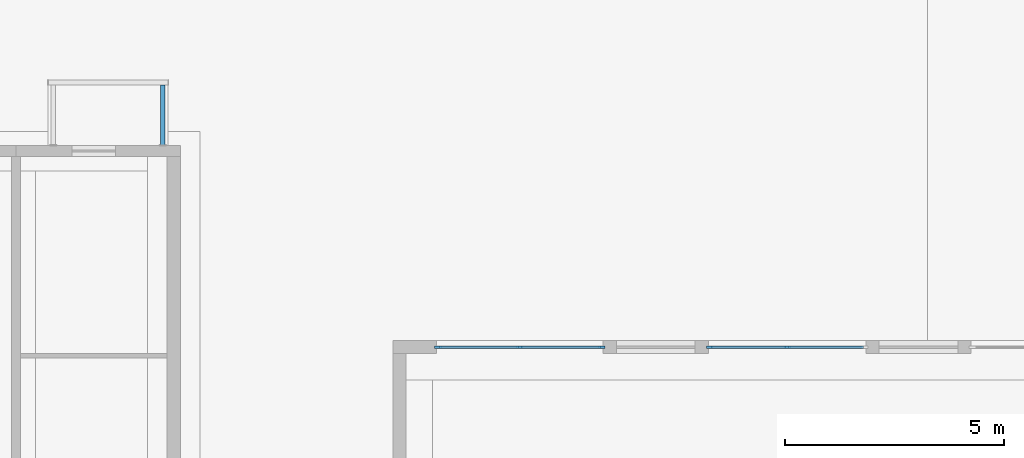
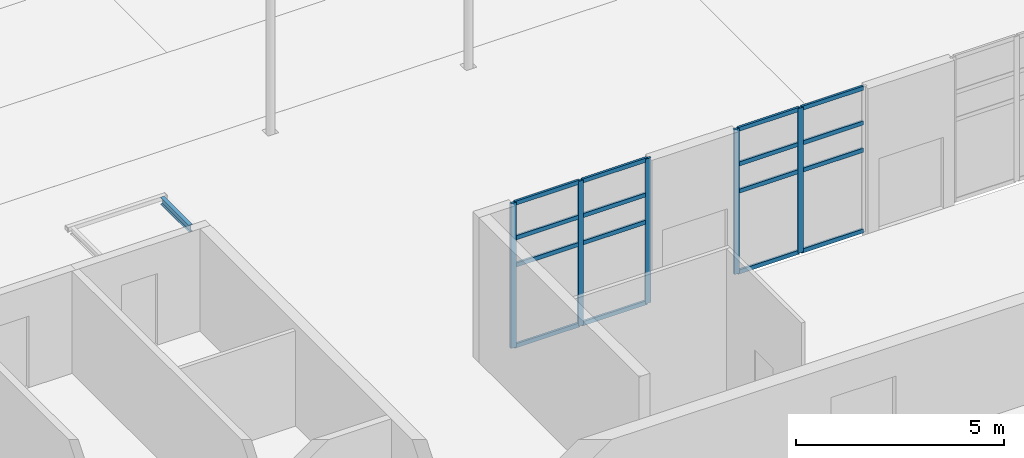
# One storey, part 21 of 112: 21 members, 1 beam, 2 elements without a shape of their own.
"""IFC4 building model written with IfcOpenShell, lengths in metres."""

from ifc_helpers import new_model, si_unit, direction, frame, origin, origin_2d, place, context, subcontext, project, spatial, rectangle, i_section, extrude, material, layer, layer_set, material_profile, profile_set, type_object, element, aggregate, save


model = new_model("IFC4")

# Units and contexts
model_context = context("Model", 3, precision=1e-05, world=origin(), true_north=direction((0.0, 1.0)))
body_context = subcontext(model_context, "Body", "Model", "MODEL_VIEW")
ifc_project = project(units=[si_unit("LENGTHUNIT", "METRE"), si_unit("AREAUNIT", "SQUARE_METRE"), si_unit("VOLUMEUNIT", "CUBIC_METRE"), si_unit("PLANEANGLEUNIT", "RADIAN"), si_unit("MASSUNIT", "GRAM", prefix="KILO")], contexts=[model_context])

# Site, building, storey
site_placement = place(None, origin())
site = spatial("IfcSite", under=ifc_project, at=site_placement, CompositionType="ELEMENT")
building_placement = place(site_placement, origin())
building = spatial("IfcBuilding", under=site, at=building_placement, Name="Ridgestep Commons", CompositionType="ELEMENT")
storey_placement = place(building_placement, origin())
storey = spatial("IfcBuildingStorey", under=building, at=storey_placement, Name="L00", CompositionType="ELEMENT", Elevation=0.0)

# Curtain wall, members
ifc_material_1 = material(Name="Aluminium and glass", Category="aluminium")
ifc_layer = layer(ifc_material_1, 0.199951171875)
ifc_layer_set = layer_set([ifc_layer], Name="Foyer curtain wall")
curtain_wall_type = type_object("IfcCurtainWallType", Name="Foyer curtain wall", PredefinedType="NOTDEFINED", material=ifc_layer_set)
curtain_wall_1_placement = place(storey_placement, origin())
curtain_wall_1 = element("IfcCurtainWall", 1, at=curtain_wall_1_placement, inside=storey, type_object=curtain_wall_type, Name="Foyer curtain wall", PredefinedType="NOTDEFINED")
ifc_material_2 = material(Name="Aluminium", Category="aluminium")
ifc_material_profile_1 = material_profile(ifc_material_2, rectangle(XDim=0.06005859375, YDim=0.14990234375, at=origin_2d()), Name="Foyer mullion 60 x 150")
ifc_profile_set_1 = profile_set([ifc_material_profile_1], Name="Aluminium")
member_type_1 = type_object("IfcMemberType", Name="Foyer mullion 60 x 150", PredefinedType="MULLION", material=ifc_profile_set_1)
member_1_placement = place(storey_placement, frame((118.830078125, 72.64990234375, 0.0), z_axis=(0.0, 0.0, 1.0), x_axis=(0.0, 1.0, 0.0)))
member_1 = element("IfcMember", 2, at=member_1_placement, type_object=member_type_1, Name="CW2 mullion 1", PredefinedType="MULLION", context=body_context, shape_type="SweptSolid", body=[
    extrude(rectangle(XDim=0.06005859375, YDim=0.14990234375, at=origin_2d()), origin(), (0.0, 0.0, 1.0), 4.25),
])
member_2_placement = place(storey_placement, frame((120.699951171875, 72.64990234375, 0.0), z_axis=(0.0, 0.0, 1.0), x_axis=(0.0, 1.0, 0.0)))
member_2 = element("IfcMember", 3, at=member_2_placement, type_object=member_type_1, Name="CW2 mullion 2", PredefinedType="MULLION", context=body_context, shape_type="SweptSolid", body=[
    extrude(rectangle(XDim=0.06005859375, YDim=0.14990234375, at=origin_2d()), origin(), (0.0, 0.0, 1.0), 4.25),
])
member_3_placement = place(storey_placement, frame((122.570068359375, 72.64990234375, 0.0), z_axis=(0.0, 0.0, 1.0), x_axis=(0.0, 1.0, 0.0)))
member_3 = element("IfcMember", 4, at=member_3_placement, type_object=member_type_1, Name="CW2 mullion 3", PredefinedType="MULLION", context=body_context, shape_type="SweptSolid", body=[
    extrude(rectangle(XDim=0.06005859375, YDim=0.14990234375, at=origin_2d()), origin(), (0.0, 0.0, 1.0), 4.25),
])

curtain_wall_2_placement = place(storey_placement, origin())
curtain_wall_2 = element("IfcCurtainWall", 5, at=curtain_wall_2_placement, inside=storey, type_object=curtain_wall_type, Name="Foyer curtain wall", PredefinedType="NOTDEFINED")
member_4_placement = place(storey_placement, frame((125.030029296875, 72.64990234375, 0.0), z_axis=(0.0, 0.0, 1.0), x_axis=(0.0, 1.0, 0.0)))
member_4 = element("IfcMember", 6, at=member_4_placement, type_object=member_type_1, Name="CW2 mullion 1", PredefinedType="MULLION", context=body_context, shape_type="SweptSolid", body=[
    extrude(rectangle(XDim=0.06005859375, YDim=0.14990234375, at=origin_2d()), origin(), (0.0, 0.0, 1.0), 4.25),
])
member_5_placement = place(storey_placement, frame((126.800048828125, 72.64990234375, 0.0), z_axis=(0.0, 0.0, 1.0), x_axis=(0.0, 1.0, 0.0)))
member_5 = element("IfcMember", 7, at=member_5_placement, type_object=member_type_1, Name="CW2 mullion 2", PredefinedType="MULLION", context=body_context, shape_type="SweptSolid", body=[
    extrude(rectangle(XDim=0.06005859375, YDim=0.14990234375, at=origin_2d()), origin(), (0.0, 0.0, 1.0), 4.25),
])

# Member
ifc_material_3 = material(Name="Aluminium", Category="aluminium")
ifc_material_profile_2 = material_profile(ifc_material_3, rectangle(XDim=0.06005859375, YDim=0.1201171875, at=origin_2d()), Name="Foyer transom 60 x 120")
ifc_profile_set_2 = profile_set([ifc_material_profile_2], Name="Aluminium")
member_type_2 = type_object("IfcMemberType", Name="Foyer transom 60 x 120", PredefinedType="USERDEFINED", material=ifc_profile_set_2)
member_6_placement = place(storey_placement, frame((118.860107421875, 72.64990234375, 0.030029296875), z_axis=(1.0, 0.0, 0.0), x_axis=(0.0, 1.0, 0.0)))
member_6 = element("IfcMember", 8, at=member_6_placement, type_object=member_type_2, Name="CW2 transom 1.1", ObjectType="TRANSOM", PredefinedType="USERDEFINED", context=body_context, shape_type="SweptSolid", body=[
    extrude(rectangle(XDim=0.06005859375, YDim=0.1201171875, at=origin_2d()), origin(), (0.0, 0.0, 1.0), 1.809814453125),
])

member_7_placement = place(storey_placement, frame((118.860107421875, 72.64990234375, 2.39990234375), z_axis=(1.0, 0.0, 0.0), x_axis=(0.0, 1.0, 0.0)))
member_7 = element("IfcMember", 9, at=member_7_placement, type_object=member_type_2, Name="CW2 transom 1.2", ObjectType="TRANSOM", PredefinedType="USERDEFINED", context=body_context, shape_type="SweptSolid", body=[
    extrude(rectangle(XDim=0.06005859375, YDim=0.1201171875, at=origin_2d()), origin(), (0.0, 0.0, 1.0), 1.809814453125),
])

member_8_placement = place(storey_placement, frame((118.860107421875, 72.64990234375, 3.199951171875), z_axis=(1.0, 0.0, 0.0), x_axis=(0.0, 1.0, 0.0)))
member_8 = element("IfcMember", 10, at=member_8_placement, type_object=member_type_2, Name="CW2 transom 1.3", ObjectType="TRANSOM", PredefinedType="USERDEFINED", context=body_context, shape_type="SweptSolid", body=[
    extrude(rectangle(XDim=0.06005859375, YDim=0.1201171875, at=origin_2d()), origin(), (0.0, 0.0, 1.0), 1.809814453125),
])

member_9_placement = place(storey_placement, frame((118.860107421875, 72.64990234375, 4.219970703125), z_axis=(1.0, 0.0, 0.0), x_axis=(0.0, 1.0, 0.0)))
member_9 = element("IfcMember", 11, at=member_9_placement, type_object=member_type_2, Name="CW2 transom 1.4", ObjectType="TRANSOM", PredefinedType="USERDEFINED", context=body_context, shape_type="SweptSolid", body=[
    extrude(rectangle(XDim=0.06005859375, YDim=0.1201171875, at=origin_2d()), origin(), (0.0, 0.0, 1.0), 1.809814453125),
])

member_10_placement = place(storey_placement, frame((120.72998046875, 72.64990234375, 0.030029296875), z_axis=(1.0, 0.0, 0.0), x_axis=(0.0, 1.0, 0.0)))
member_10 = element("IfcMember", 12, at=member_10_placement, type_object=member_type_2, Name="CW2 transom 2.1", ObjectType="TRANSOM", PredefinedType="USERDEFINED", context=body_context, shape_type="SweptSolid", body=[
    extrude(rectangle(XDim=0.06005859375, YDim=0.1201171875, at=origin_2d()), origin(), (0.0, 0.0, 1.0), 1.81005859375),
])

member_11_placement = place(storey_placement, frame((120.72998046875, 72.64990234375, 2.39990234375), z_axis=(1.0, 0.0, 0.0), x_axis=(0.0, 1.0, 0.0)))
member_11 = element("IfcMember", 13, at=member_11_placement, type_object=member_type_2, Name="CW2 transom 2.2", ObjectType="TRANSOM", PredefinedType="USERDEFINED", context=body_context, shape_type="SweptSolid", body=[
    extrude(rectangle(XDim=0.06005859375, YDim=0.1201171875, at=origin_2d()), origin(), (0.0, 0.0, 1.0), 1.81005859375),
])

member_12_placement = place(storey_placement, frame((120.72998046875, 72.64990234375, 3.199951171875), z_axis=(1.0, 0.0, 0.0), x_axis=(0.0, 1.0, 0.0)))
member_12 = element("IfcMember", 14, at=member_12_placement, type_object=member_type_2, Name="CW2 transom 2.3", ObjectType="TRANSOM", PredefinedType="USERDEFINED", context=body_context, shape_type="SweptSolid", body=[
    extrude(rectangle(XDim=0.06005859375, YDim=0.1201171875, at=origin_2d()), origin(), (0.0, 0.0, 1.0), 1.81005859375),
])

member_13_placement = place(storey_placement, frame((120.72998046875, 72.64990234375, 4.219970703125), z_axis=(1.0, 0.0, 0.0), x_axis=(0.0, 1.0, 0.0)))
member_13 = element("IfcMember", 15, at=member_13_placement, type_object=member_type_2, Name="CW2 transom 2.4", ObjectType="TRANSOM", PredefinedType="USERDEFINED", context=body_context, shape_type="SweptSolid", body=[
    extrude(rectangle(XDim=0.06005859375, YDim=0.1201171875, at=origin_2d()), origin(), (0.0, 0.0, 1.0), 1.81005859375),
])

aggregate(curtain_wall_1, [member_1, member_2, member_3, member_6, member_7, member_8, member_9, member_10, member_11, member_12, member_13])

member_14_placement = place(storey_placement, frame((125.06005859375, 72.64990234375, 0.030029296875), z_axis=(1.0, 0.0, 0.0), x_axis=(0.0, 1.0, 0.0)))
member_14 = element("IfcMember", 16, at=member_14_placement, type_object=member_type_2, Name="CW2 transom 1.1", ObjectType="TRANSOM", PredefinedType="USERDEFINED", context=body_context, shape_type="SweptSolid", body=[
    extrude(rectangle(XDim=0.06005859375, YDim=0.1201171875, at=origin_2d()), origin(), (0.0, 0.0, 1.0), 1.7099609375),
])

member_15_placement = place(storey_placement, frame((125.06005859375, 72.64990234375, 2.39990234375), z_axis=(1.0, 0.0, 0.0), x_axis=(0.0, 1.0, 0.0)))
member_15 = element("IfcMember", 17, at=member_15_placement, type_object=member_type_2, Name="CW2 transom 1.2", ObjectType="TRANSOM", PredefinedType="USERDEFINED", context=body_context, shape_type="SweptSolid", body=[
    extrude(rectangle(XDim=0.06005859375, YDim=0.1201171875, at=origin_2d()), origin(), (0.0, 0.0, 1.0), 1.7099609375),
])

member_16_placement = place(storey_placement, frame((125.06005859375, 72.64990234375, 3.199951171875), z_axis=(1.0, 0.0, 0.0), x_axis=(0.0, 1.0, 0.0)))
member_16 = element("IfcMember", 18, at=member_16_placement, type_object=member_type_2, Name="CW2 transom 1.3", ObjectType="TRANSOM", PredefinedType="USERDEFINED", context=body_context, shape_type="SweptSolid", body=[
    extrude(rectangle(XDim=0.06005859375, YDim=0.1201171875, at=origin_2d()), origin(), (0.0, 0.0, 1.0), 1.7099609375),
])

member_17_placement = place(storey_placement, frame((125.06005859375, 72.64990234375, 4.219970703125), z_axis=(1.0, 0.0, 0.0), x_axis=(0.0, 1.0, 0.0)))
member_17 = element("IfcMember", 19, at=member_17_placement, type_object=member_type_2, Name="CW2 transom 1.4", ObjectType="TRANSOM", PredefinedType="USERDEFINED", context=body_context, shape_type="SweptSolid", body=[
    extrude(rectangle(XDim=0.06005859375, YDim=0.1201171875, at=origin_2d()), origin(), (0.0, 0.0, 1.0), 1.7099609375),
])

member_18_placement = place(storey_placement, frame((126.830078125, 72.64990234375, 0.030029296875), z_axis=(1.0, 0.0, 0.0), x_axis=(0.0, 1.0, 0.0)))
member_18 = element("IfcMember", 20, at=member_18_placement, type_object=member_type_2, Name="CW2 transom 2.1", ObjectType="TRANSOM", PredefinedType="USERDEFINED", context=body_context, shape_type="SweptSolid", body=[
    extrude(rectangle(XDim=0.06005859375, YDim=0.1201171875, at=origin_2d()), origin(), (0.0, 0.0, 1.0), 1.7099609375),
])

member_19_placement = place(storey_placement, frame((126.830078125, 72.64990234375, 2.39990234375), z_axis=(1.0, 0.0, 0.0), x_axis=(0.0, 1.0, 0.0)))
member_19 = element("IfcMember", 21, at=member_19_placement, type_object=member_type_2, Name="CW2 transom 2.2", ObjectType="TRANSOM", PredefinedType="USERDEFINED", context=body_context, shape_type="SweptSolid", body=[
    extrude(rectangle(XDim=0.06005859375, YDim=0.1201171875, at=origin_2d()), origin(), (0.0, 0.0, 1.0), 1.7099609375),
])

member_20_placement = place(storey_placement, frame((126.830078125, 72.64990234375, 3.199951171875), z_axis=(1.0, 0.0, 0.0), x_axis=(0.0, 1.0, 0.0)))
member_20 = element("IfcMember", 22, at=member_20_placement, type_object=member_type_2, Name="CW2 transom 2.3", ObjectType="TRANSOM", PredefinedType="USERDEFINED", context=body_context, shape_type="SweptSolid", body=[
    extrude(rectangle(XDim=0.06005859375, YDim=0.1201171875, at=origin_2d()), origin(), (0.0, 0.0, 1.0), 1.7099609375),
])

member_21_placement = place(storey_placement, frame((126.830078125, 72.64990234375, 4.219970703125), z_axis=(1.0, 0.0, 0.0), x_axis=(0.0, 1.0, 0.0)))
member_21 = element("IfcMember", 23, at=member_21_placement, type_object=member_type_2, Name="CW2 transom 2.4", ObjectType="TRANSOM", PredefinedType="USERDEFINED", context=body_context, shape_type="SweptSolid", body=[
    extrude(rectangle(XDim=0.06005859375, YDim=0.1201171875, at=origin_2d()), origin(), (0.0, 0.0, 1.0), 1.7099609375),
])

aggregate(curtain_wall_2, [member_4, member_5, member_14, member_15, member_16, member_17, member_18, member_19, member_20, member_21])

# Beam
ifc_material_4 = material(Name="Weathering steel S355J2W", Category="steel")
ifc_material_profile_3 = material_profile(ifc_material_4, i_section(OverallWidth=0.101806640625, OverallDepth=0.203125, WebThickness=0.00537109375, FlangeThickness=0.00927734375, FilletRadius=0.007568359375, at=origin_2d()), Name="UB 203x102x23")
ifc_profile_set_3 = profile_set([ifc_material_profile_3], Name="Weathering steel S355J2W")
beam_type = type_object("IfcBeamType", Name="Tray arm UB 203x102x23", PredefinedType="BEAM", material=ifc_profile_set_3)
beam_placement = place(storey_placement, frame((112.550048828125, 77.264892578125, 2.888427734375), z_axis=(0.0, 1.0, 0.0), x_axis=(-1.0, 0.0, 0.0)))
element("IfcBeam", 24, at=beam_placement, inside=storey, type_object=beam_type, Name="Tray arm B6T1-01.2", PredefinedType="BEAM", context=body_context, shape_type="SweptSolid", body=[
    extrude(i_section(OverallWidth=0.101806640625, OverallDepth=0.203125, WebThickness=0.00537109375, FlangeThickness=0.00927734375, FilletRadius=0.007568359375, at=origin_2d()), origin(), (0.0, 0.0, 1.0), 1.364990234375),
])

save(model, "model.ifc")
